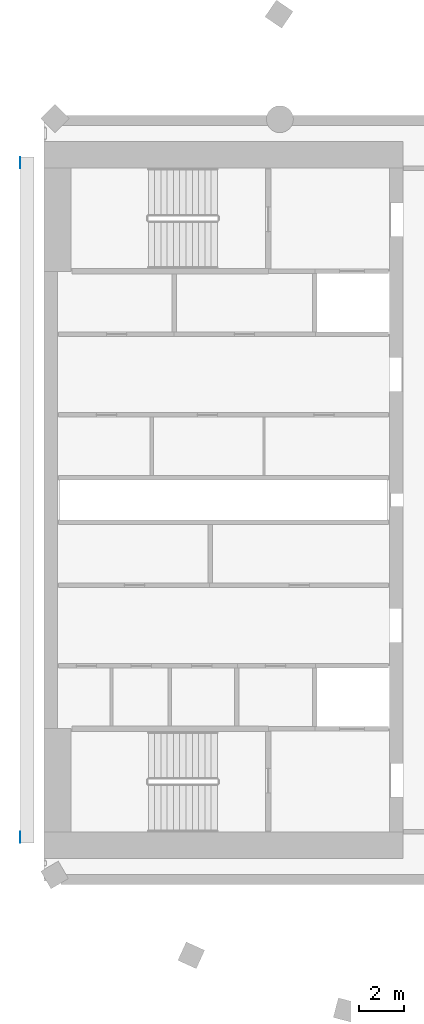
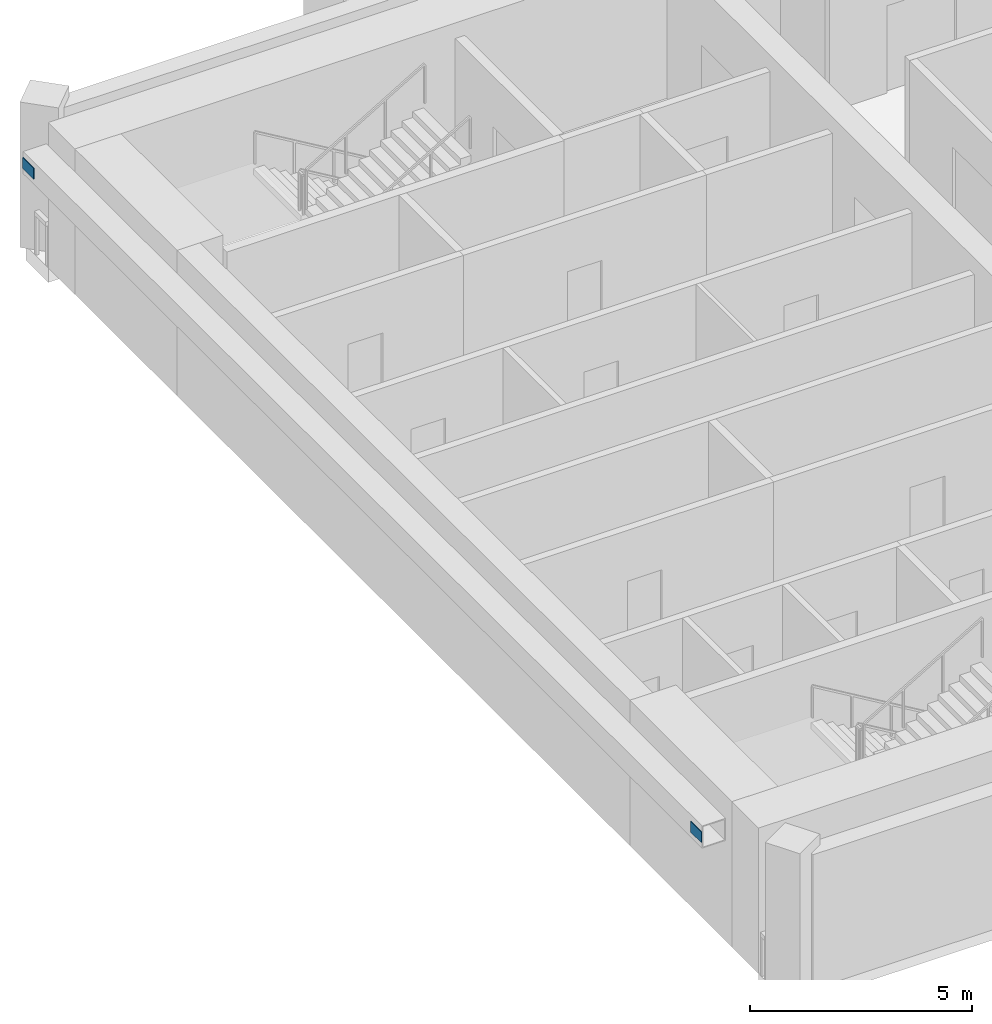
# One storey, part 4 of 9: 2 discrete accessories.
"""IFC4 building model written with IfcOpenShell, lengths in metres."""

import ifcopenshell
import ifcopenshell.guid

model = None  # the IFC model being written
_history = None  # IfcOwnerHistory: only IFC2X3 demands one
_inside = {}  # id of a spatial element -> (the spatial element, [elements in it])
_under = {}  # id of a project, library or spatial element -> (it, [spatial elements below it])
_declared = {}  # id of a project -> (the project, [libraries it declares])
_typed = {}  # id of a type object -> (the type object, [elements of that type])
_made_of = {}  # id of a material, layer set ... -> (it, [elements and type objects made of it])


def new_model(schema):
    """Start an empty IFC model of exactly this schema.

    Asked for "IFC4X3", IfcOpenShell would pick the latest addendum, in which some entities
    have other attributes; the version numbers below select the first issue.
    IFC2X3 requires an IfcOwnerHistory on every rooted entity: one is made here for all.
    """
    global model, _history
    if schema == "IFC4X3":
        model = ifcopenshell.file(schema_version=(4, 3, 0, 0))
    else:
        model = ifcopenshell.file(schema=schema)
    _inside.clear()
    _under.clear()
    _declared.clear()
    _typed.clear()
    _made_of.clear()
    _history = None
    if model.schema == "IFC2X3":
        org = make("IfcOrganization", Name="unknown")
        user = make(
            "IfcPersonAndOrganization",
            ThePerson=make("IfcPerson", FamilyName="unknown"),
            TheOrganization=org,
        )
        app = make(
            "IfcApplication",
            ApplicationDeveloper=org,
            Version="unknown",
            ApplicationFullName="unknown",
            ApplicationIdentifier="unknown",
        )
        _history = make(
            "IfcOwnerHistory",
            OwningUser=user,
            OwningApplication=app,
            ChangeAction="ADDED",
            CreationDate=0,
        )
    return model


def make(cls, **values):
    """One entity of the class cls with the attributes given. An attribute that is None is left unset."""
    return model.create_entity(
        cls, **{name: value for name, value in values.items() if value is not None}
    )


def rooted(cls, **values):
    """An entity with a GlobalId (a new one), such as an element, a storey or a relation."""
    return make(cls, GlobalId=ifcopenshell.guid.new(), OwnerHistory=_history, **values)


def si_unit(unit_type, name, prefix=None):
    """IfcSIUnit, for example si_unit("LENGTHUNIT", "METRE", prefix="MILLI")."""
    return make("IfcSIUnit", UnitType=unit_type, Prefix=prefix, Name=name)


def assignment(units):
    """IfcUnitAssignment: the units of a project."""
    return None if units is None else make("IfcUnitAssignment", Units=units)


def point(xyz):
    """IfcCartesianPoint."""
    return None if xyz is None else make("IfcCartesianPoint", Coordinates=xyz)


def direction(xyz):
    """IfcDirection."""
    return None if xyz is None else make("IfcDirection", DirectionRatios=xyz)


def frame(location, z_axis=None, x_axis=None):
    """IfcAxis2Placement3D, a coordinate frame: its origin and axes. An axis left out is left unset."""
    return make(
        "IfcAxis2Placement3D",
        Location=point(location),
        Axis=direction(z_axis),
        RefDirection=direction(x_axis),
    )


def frame_2d(location, x_axis=None):
    """IfcAxis2Placement2D, a coordinate frame in the plane: its origin and x axis."""
    return make(
        "IfcAxis2Placement2D", Location=point(location), RefDirection=direction(x_axis)
    )


def origin():
    """The frame at (0, 0, 0) with its axes left unset."""
    return frame((0.0, 0.0, 0.0))


def origin_2d():
    """The frame at (0, 0) in the plane with its x axis left unset."""
    return frame_2d((0.0, 0.0))


def place(relative_to, where):
    """IfcLocalPlacement: puts the frame where relative to a parent placement (None: the world)."""
    return make(
        "IfcLocalPlacement", PlacementRelTo=relative_to, RelativePlacement=where
    )


def context(
    kind, dimensions, precision=None, world=None, true_north=None, identifier=None
):
    """IfcGeometricRepresentationContext, for example the 3D "Model" context."""
    return make(
        "IfcGeometricRepresentationContext",
        ContextIdentifier=identifier,
        ContextType=kind,
        CoordinateSpaceDimension=dimensions,
        Precision=precision,
        WorldCoordinateSystem=world,
        TrueNorth=true_north,
    )


def subcontext(parent, identifier, kind, view, scale=None):
    """IfcGeometricRepresentationSubContext, for example "Body" below "Model"."""
    return make(
        "IfcGeometricRepresentationSubContext",
        ContextIdentifier=identifier,
        ContextType=kind,
        ParentContext=parent,
        TargetScale=scale,
        TargetView=view,
    )


def project(units=None, contexts=None):
    """IfcProject with its units and contexts."""
    return rooted(
        "IfcProject",
        Name="project",
        RepresentationContexts=contexts,
        UnitsInContext=assignment(units),
    )


def spatial(cls, under=None, at=None, **own):
    """A site, building, storey or space (cls), placed at a placement, below another one or the project."""
    s = rooted(cls, ObjectPlacement=at, **own)
    if under is not None:
        _under.setdefault(under.id(), (under, []))[1].append(s)
    return s


def profile(cls, at=None, kind="AREA", **sizes):
    """A parametric profile (cls). Its sizes go by their IFC names, for example OverallWidth=200.0."""
    return make(cls, ProfileType=kind, Position=at, **sizes)


def rectangle(**sizes):
    """IfcRectangleProfileDef."""
    return profile("IfcRectangleProfileDef", **sizes)


def extrude(swept, where, along, depth):
    """IfcExtrudedAreaSolid: the profile swept, set in the frame where, extruded along a direction by depth."""
    return make(
        "IfcExtrudedAreaSolid",
        SweptArea=swept,
        Position=where,
        ExtrudedDirection=direction(along),
        Depth=depth,
    )


def shape(context_of_items, identifier, shape_type, items):
    """IfcShapeRepresentation: the items that make up one representation, for example the "Body"."""
    return make(
        "IfcShapeRepresentation",
        ContextOfItems=context_of_items,
        RepresentationIdentifier=identifier,
        RepresentationType=shape_type,
        Items=items,
    )


def material(Name=None, Category=None):
    """IfcMaterial."""
    return make("IfcMaterial", Name=Name, Category=Category)


def material_profile(
    of_material, cross_section, Name=None, Category=None, Priority=None
):
    """IfcMaterialProfile: a cross section and its material."""
    return make(
        "IfcMaterialProfile",
        Name=Name,
        Material=of_material,
        Profile=cross_section,
        Priority=Priority,
        Category=Category,
    )


def profile_set(profiles, Name=None, composite=None):
    """IfcMaterialProfileSet."""
    return make(
        "IfcMaterialProfileSet",
        Name=Name,
        MaterialProfiles=profiles,
        CompositeProfile=composite,
    )


def made_of(thing, what):
    """Note that an element or type object is made of a material, layer set ...; save() writes the relation."""
    if what is not None:
        _made_of.setdefault(what.id(), (what, []))[1].append(thing)
    return thing


def type_object(cls, material=None, **own):
    """A type object (cls), such as IfcWallType, which elements share."""
    return made_of(rooted(cls, **own), material)


def element(
    cls,
    number,
    at=None,
    inside=None,
    cuts=None,
    type_object=None,
    material=None,
    context=None,
    identifier="Body",
    shape_type=None,
    held_by="IfcProductDefinitionShape",
    body=None,
    shapes=None,
    **own,
):
    """One element of the class cls, such as IfcWall. Its Tag is "e" and its number.

    at: its placement. inside: the storey or other place that contains it. cuts: it is an
    opening in that element (IfcRelVoidsElement). A single representation is given by context,
    identifier, shape_type and body (its items); several are given by shapes. held_by: the class
    of the entity that holds the representations. save() writes the other relations.
    """
    e = rooted(cls, Tag="e%d" % number, ObjectPlacement=at, **own)
    if body is not None:
        shapes = [shape(context, identifier, shape_type, body)]
    if shapes is not None:
        e.Representation = make(held_by, Representations=shapes)
    if inside is not None:
        _inside.setdefault(inside.id(), (inside, []))[1].append(e)
    if cuts is not None:
        rooted(
            "IfcRelVoidsElement", RelatingBuildingElement=cuts, RelatedOpeningElement=e
        )
    if type_object is not None:
        _typed.setdefault(type_object.id(), (type_object, []))[1].append(e)
    return made_of(e, material)


def aggregate(whole, parts):
    """IfcRelAggregates: a whole, such as a stair, and the parts it consists of."""
    return rooted("IfcRelAggregates", RelatingObject=whole, RelatedObjects=parts)


def save(model, path):
    """Write the relations noted so far, then the file.

    IfcRelAggregates (storeys below a building ...), IfcRelContainedInSpatialStructure (elements
    in a storey), IfcRelDefinesByType, IfcRelAssociatesMaterial and IfcRelDeclares: one each for
    every whole, place, type object, material and project.
    """
    for whole, parts in _under.values():
        aggregate(whole, parts)
    for where, things in _inside.values():
        rooted(
            "IfcRelContainedInSpatialStructure",
            RelatedElements=things,
            RelatingStructure=where,
        )
    for kind, things in _typed.values():
        rooted("IfcRelDefinesByType", RelatedObjects=things, RelatingType=kind)
    for what, things in _made_of.values():
        rooted("IfcRelAssociatesMaterial", RelatedObjects=things, RelatingMaterial=what)
    for by, libraries in _declared.values():
        rooted("IfcRelDeclares", RelatingContext=by, RelatedDefinitions=libraries)
    model.write(path)


model = new_model("IFC4")

# Units and contexts
model_context = context("Model", 3, precision=1e-05, world=origin(), true_north=direction((0.0, 1.0)))
body_context = subcontext(model_context, "Body", "Model", "MODEL_VIEW")
ifc_project = project(units=[si_unit("LENGTHUNIT", "METRE"), si_unit("AREAUNIT", "SQUARE_METRE"), si_unit("VOLUMEUNIT", "CUBIC_METRE"), si_unit("PLANEANGLEUNIT", "RADIAN"), si_unit("MASSUNIT", "GRAM", prefix="KILO")], contexts=[model_context])

# Site, building, storey
site_placement = place(None, origin())
site = spatial("IfcSite", under=ifc_project, at=site_placement, CompositionType="ELEMENT")
building_placement = place(site_placement, origin())
building = spatial("IfcBuilding", under=site, at=building_placement, Name="Cypress Arch Tower", CompositionType="ELEMENT")
storey_placement = place(building_placement, frame((0.0, 0.0, 335.0)))
storey = spatial("IfcBuildingStorey", under=building, at=storey_placement, Name="L76", CompositionType="ELEMENT", Elevation=335.0)

# Discrete accessories
ifc_material = material(Name="Steel ASTM A992", Category="steel")
ifc_material_profile = material_profile(ifc_material, rectangle(XDim=0.5, YDim=0.300048828125, at=origin_2d()), Name="PL 20 500x300")
ifc_profile_set = profile_set([ifc_material_profile], Name="Steel ASTM A992")
discrete_accessory_type = type_object("IfcDiscreteAccessoryType", Name="West bracing chord end plate 500x300x20 Steel ASTM A992", PredefinedType="ANCHORPLATE", material=ifc_profile_set)
for number, where, z_axis, x_axis, name in (
    (1, (-31.0595703125, -15.045166015625, 3.6953125), (-1.0, 0.0, 0.0), (0.0, -1.0, 0.0), "End plate west bracing chord 7S"),
    (2, (-31.0595703125, 15.045166015625, 3.6953125), (-1.0, 0.0, 0.0), (0.0, -1.0, 0.0), "End plate west bracing chord 7N"),
):
    element("IfcDiscreteAccessory", number, at=place(storey_placement, frame(where, z_axis=z_axis, x_axis=x_axis)), inside=storey, type_object=discrete_accessory_type, Name=name, PredefinedType="ANCHORPLATE", context=body_context, shape_type="SweptSolid", body=[
        extrude(rectangle(XDim=0.5, YDim=0.300048828125, at=origin_2d()), origin(), (0.0, 0.0, 1.0), 0.02001953125),
    ])

save(model, "model.ifc")
